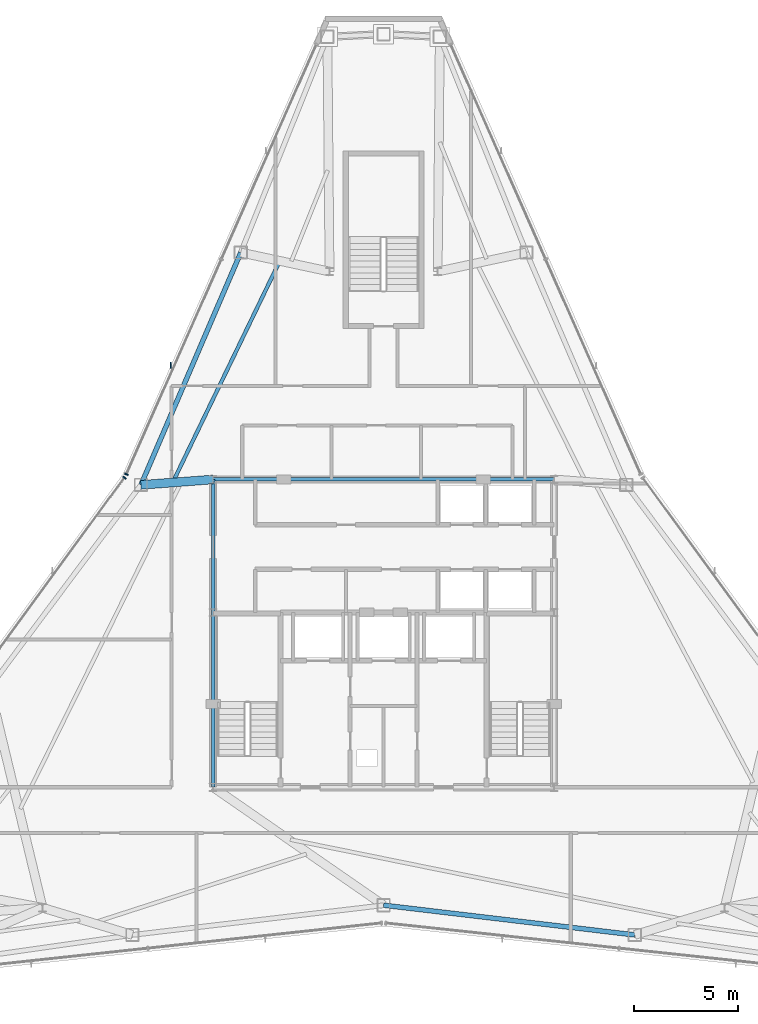
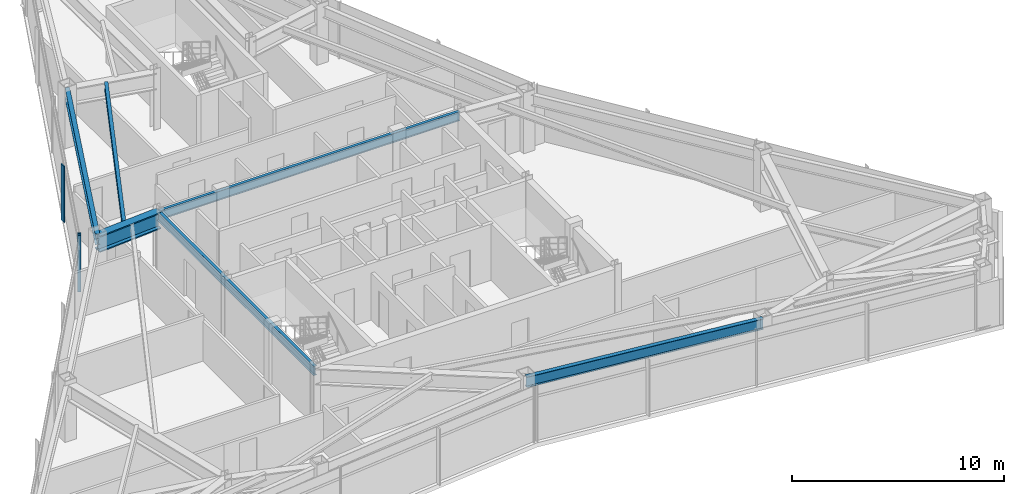
# One storey, part 5 of 12: 6 beams, 3 members, 2 elements without a shape of their own.
"""IFC4 building model written with IfcOpenShell, lengths in metres."""

from ifc_helpers import new_model, si_unit, direction, frame, origin, origin_2d, place, context, subcontext, project, spatial, rectangle, i_section, extrude, source, transform, mapped, material, layer, layer_set, material_profile, profile_set, type_object, type_shapes, element, aggregate, save


model = new_model("IFC4")

# Units and contexts
model_context = context("Model", 3, precision=1e-05, world=origin(), true_north=direction((0.0, 1.0)))
body_context = subcontext(model_context, "Body", "Model", "MODEL_VIEW")
ifc_project = project(units=[si_unit("LENGTHUNIT", "METRE"), si_unit("AREAUNIT", "SQUARE_METRE"), si_unit("VOLUMEUNIT", "CUBIC_METRE"), si_unit("PLANEANGLEUNIT", "RADIAN"), si_unit("MASSUNIT", "GRAM", prefix="KILO")], contexts=[model_context])

# Site, building, storey
site_placement = place(None, origin())
site = spatial("IfcSite", under=ifc_project, at=site_placement, CompositionType="ELEMENT")
building_placement = place(site_placement, origin())
building = spatial("IfcBuilding", under=site, at=building_placement, Name="Varakhsha Concourse Tower", CompositionType="ELEMENT")
storey_placement = place(building_placement, frame((0.0, 0.0, 269.0)))
storey = spatial("IfcBuildingStorey", under=building, at=storey_placement, Name="L76", CompositionType="ELEMENT", Elevation=269.0)

# Beams
ifc_material_1 = material(Name="Structural Steel ASTM A992 Grade 50", Category="steel")
ifc_material_profile_1 = material_profile(ifc_material_1, i_section(OverallWidth=0.177978515625, OverallDepth=0.406982421875, WebThickness=0.008056640625, FlangeThickness=0.012939453125, at=origin_2d()), Name="W16X40")
ifc_profile_set_1 = profile_set([ifc_material_profile_1], Name="Structural Steel ASTM A992 Grade 50")
beam_type_1 = type_object("IfcBeamType", Name="BM-JST-W16X40", PredefinedType="JOIST", material=ifc_profile_set_1)
beam_1_placement = place(storey_placement, frame((34.961669921875, 41.61328125, 3.04638671875), z_axis=(-0.435273123438, -0.900298454965, 0.0), x_axis=(0.900298454965, -0.435273123438, 0.0)))
element("IfcBeam", 1, at=beam_1_placement, inside=storey, type_object=beam_type_1, Name="BM-TJST-L76-04", PredefinedType="JOIST", context=body_context, shape_type="SweptSolid", body=[
    extrude(i_section(OverallWidth=0.177978515625, OverallDepth=0.406982421875, WebThickness=0.008056640625, FlangeThickness=0.012939453125, at=origin_2d()), origin(), (0.0, 0.0, 1.0), 11.619384765625),
])
ifc_material_profile_2 = material_profile(ifc_material_1, i_section(OverallWidth=0.423095703125, OverallDepth=0.947998046875, WebThickness=0.0380859375, FlangeThickness=0.06396484375, at=origin_2d()), Name="W36X302")
ifc_profile_set_2 = profile_set([ifc_material_profile_2], Name="Structural Steel ASTM A992 Grade 50")
beam_type_2 = type_object("IfcBeamType", Name="BM-OUTR-W36X302", PredefinedType="USERDEFINED", material=ifc_profile_set_2)
beam_2_placement = place(storey_placement, frame((31.800048828125, 31.199951171875, 2.77587890625), z_axis=(-0.997169282372, -0.075189243209, 0.0), x_axis=(0.075189243209, -0.997169282372, 0.0)))
element("IfcBeam", 2, at=beam_2_placement, inside=storey, type_object=beam_type_2, Name="L76 Radial Floor Girder 05", ObjectType="GIRDER", PredefinedType="USERDEFINED", context=body_context, shape_type="SweptSolid", body=[
    extrude(i_section(OverallWidth=0.423095703125, OverallDepth=0.947998046875, WebThickness=0.0380859375, FlangeThickness=0.06396484375, at=origin_2d()), origin(), (0.0, 0.0, 1.0), 3.480712890625),
])
ifc_material_profile_3 = material_profile(ifc_material_1, i_section(OverallWidth=0.1669921875, OverallDepth=0.534912109375, WebThickness=0.010009765625, FlangeThickness=0.01708984375, at=origin_2d()), Name="W21X57")
ifc_profile_set_3 = profile_set([ifc_material_profile_3], Name="Structural Steel ASTM A992 Grade 50")
beam_type_3 = type_object("IfcBeamType", Name="BM-RAD-W21X57", PredefinedType="BEAM", material=ifc_profile_set_3)
beam_3_placement = place(storey_placement, frame((31.800048828125, 31.199951171875, 2.982421875), z_axis=(1.0, 0.0, 0.0), x_axis=(0.0, 1.0, 0.0)))
element("IfcBeam", 3, at=beam_3_placement, inside=storey, type_object=beam_type_3, Name="BM-TCORE-L76-CN", PredefinedType="BEAM", context=body_context, shape_type="SweptSolid", body=[
    extrude(i_section(OverallWidth=0.1669921875, OverallDepth=0.534912109375, WebThickness=0.010009765625, FlangeThickness=0.01708984375, at=origin_2d()), origin(), (0.0, 0.0, 1.0), 16.39990234375),
])
beam_4_placement = place(storey_placement, frame((31.800048828125, 16.39990234375, 2.982421875), z_axis=(0.0, 1.0, 0.0), x_axis=(-1.0, 0.0, 0.0)))
element("IfcBeam", 4, at=beam_4_placement, inside=storey, type_object=beam_type_3, Name="BM-TCORE-L76-CW", PredefinedType="BEAM", context=body_context, shape_type="SweptSolid", body=[
    extrude(i_section(OverallWidth=0.1669921875, OverallDepth=0.534912109375, WebThickness=0.010009765625, FlangeThickness=0.01708984375, at=origin_2d()), origin(), (0.0, 0.0, 1.0), 14.800048828125),
])
ifc_material_profile_4 = material_profile(ifc_material_1, i_section(OverallWidth=0.22900390625, OverallDepth=0.612060546875, WebThickness=0.011962890625, FlangeThickness=0.02001953125, at=origin_2d()), Name="W24X84")
ifc_profile_set_4 = profile_set([ifc_material_profile_4], Name="Structural Steel ASTM A992 Grade 50")
beam_type_4 = type_object("IfcBeamType", Name="BM-SPAN-W24X84", PredefinedType="SPANDREL", material=ifc_profile_set_4)
for number, where, z_axis, x_axis, name in (
    (5, (33.131103515625, 42.11474609375, 2.944091796875), (-0.394757231192, -0.918785463763, 0.0), (0.918785463763, -0.394757231192, 0.0), "BM-SPAN-L76-04"),
    (6, (40.0, 10.7236328125, 2.944091796875), (0.993069539855, -0.117528247719, 0.0), (0.117528247719, 0.993069539855, 0.0), "BM-SPAN-L76-11"),
):
    element("IfcBeam", number, at=place(storey_placement, frame(where, z_axis=z_axis, x_axis=x_axis)), inside=storey, type_object=beam_type_4, Name=name, PredefinedType="SPANDREL", context=body_context, shape_type="SweptSolid", body=[
        extrude(i_section(OverallWidth=0.22900390625, OverallDepth=0.612060546875, WebThickness=0.011962890625, FlangeThickness=0.02001953125, at=origin_2d()), origin(), (0.0, 0.0, 1.0), 12.16455078125),
    ])

# Curtain wall, member
ifc_material_2 = material(Name="Anodised Bronze Architectural Aluminium AA 6063-T6", Category="aluminium")
ifc_layer = layer(ifc_material_2, 0.199951171875, Name="CW-SYS-05")
ifc_layer_set = layer_set([ifc_layer], Name="Anodised Bronze Architectural Aluminium AA 6063-T6")
curtain_wall_type = type_object("IfcCurtainWallType", Name="CW-SYS-05", PredefinedType="NOTDEFINED", material=ifc_layer_set)
curtain_wall_1_placement = place(storey_placement, origin())
curtain_wall_1 = element("IfcCurtainWall", 7, at=curtain_wall_1_placement, inside=storey, type_object=curtain_wall_type, Name="L76 Crystal Curtain Wall F2", PredefinedType="NOTDEFINED")
ifc_material_profile_5 = material_profile(ifc_material_2, rectangle(XDim=0.06494140625, YDim=0.179931640625, at=origin_2d()), Name="CWM-180X65")
ifc_profile_set_5 = profile_set([ifc_material_profile_5], Name="Anodised Bronze Architectural Aluminium AA 6063-T6")
member_type_1 = type_object("IfcMemberType", Name="CWM-180X65", PredefinedType="MULLION", material=ifc_profile_set_5)
shared_shape_1 = source(origin(), body_context, "Body", "SweptSolid", [
    extrude(rectangle(XDim=0.06494140625, YDim=0.179931640625, at=origin_2d()), origin(), (0.0, 0.0, 1.0), 3.25),
])
type_shapes(member_type_1, [shared_shape_1])
member_1_placement = place(storey_placement, frame((27.63134765625, 31.45263671875, 0.0), z_axis=(0.0, 0.0, 1.0), x_axis=(0.404273357549, 0.914638208461, 0.0)))
member_1 = element("IfcMember", 8, at=member_1_placement, type_object=member_type_1, Name="CW-L76-F2 Mullion 00", PredefinedType="MULLION", context=body_context, shape_type="MappedRepresentation", body=[
    mapped(shared_shape_1, transform((0.0, 0.0, 0.0), scale=1.0)),
])

curtain_wall_2_placement = place(storey_placement, origin())
curtain_wall_2 = element("IfcCurtainWall", 9, at=curtain_wall_2_placement, inside=storey, type_object=curtain_wall_type, Name="L76 Crystal Curtain Wall F3", PredefinedType="NOTDEFINED")
member_2_placement = place(storey_placement, frame((27.53466796875, 31.28515625, 0.0), z_axis=(0.0, 0.0, 1.0), x_axis=(0.589960426558, 0.807432161296, 0.0)))
member_2 = element("IfcMember", 10, at=member_2_placement, type_object=member_type_1, Name="CW-L76-F3 Mullion 02", PredefinedType="MULLION", context=body_context, shape_type="MappedRepresentation", body=[
    mapped(shared_shape_1, transform((0.0, 0.0, 0.0), scale=1.0)),
])
aggregate(curtain_wall_2, [member_2])

# Member
ifc_material_profile_6 = material_profile(ifc_material_2, rectangle(XDim=0.054931640625, YDim=0.300048828125, at=origin_2d()), Name="FIN-BRZ-300")
ifc_profile_set_6 = profile_set([ifc_material_profile_6], Name="Anodised Bronze Architectural Aluminium AA 6063-T6")
member_type_2 = type_object("IfcMemberType", Name="FIN-BRZ-300", PredefinedType="USERDEFINED", material=ifc_profile_set_6)
shared_shape_2 = source(origin(), body_context, "Body", "SweptSolid", [
    extrude(rectangle(XDim=0.054931640625, YDim=0.300048828125, at=origin_2d()), origin(), (0.0, 0.0, 1.0), 3.25),
])
type_shapes(member_type_2, [shared_shape_2])
member_3_placement = place(storey_placement, frame((29.765625, 36.689697265625, 0.0), z_axis=(0.0, 0.0, 1.0), x_axis=(1.0, 0.0, 0.0)))
member_3 = element("IfcMember", 11, at=member_3_placement, type_object=member_type_2, Name="L76 Anodised Bronze Solar Fin F2-1", ObjectType="SOLAR FIN", PredefinedType="USERDEFINED", context=body_context, shape_type="MappedRepresentation", body=[
    mapped(shared_shape_2, transform((0.0, 0.0, 0.0), scale=1.0)),
])

aggregate(curtain_wall_1, [member_1, member_3])

save(model, "model.ifc")
